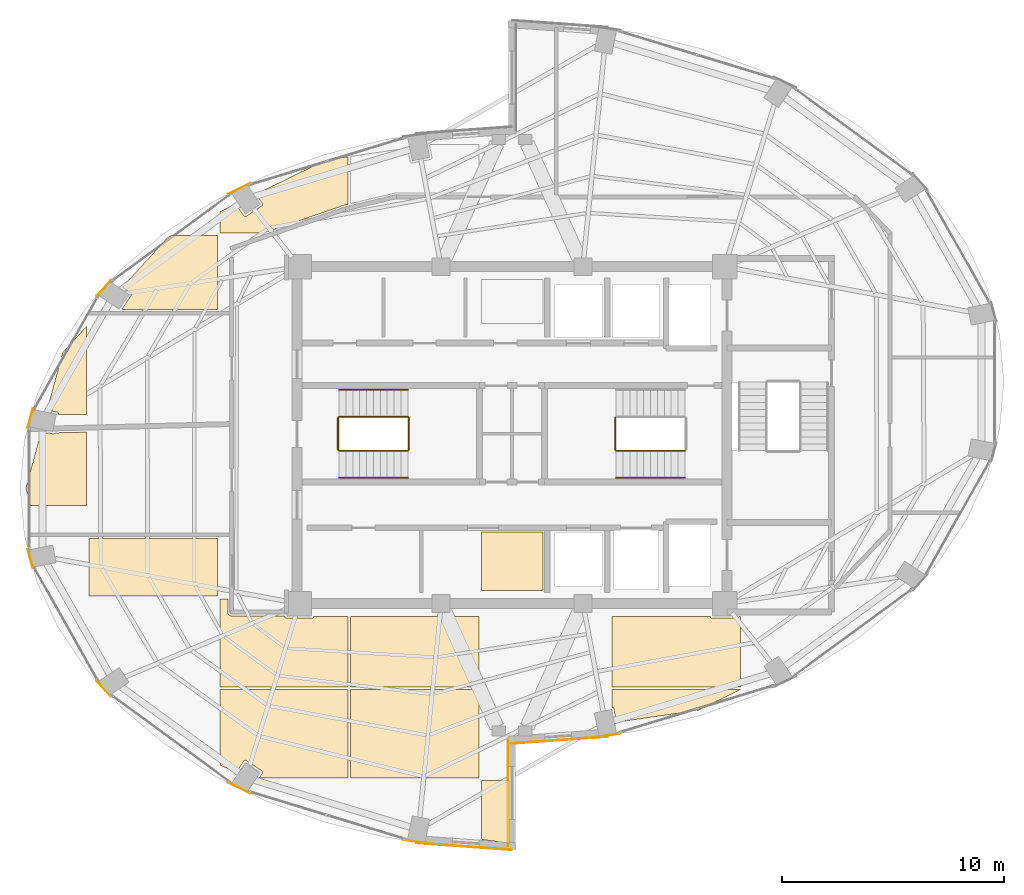
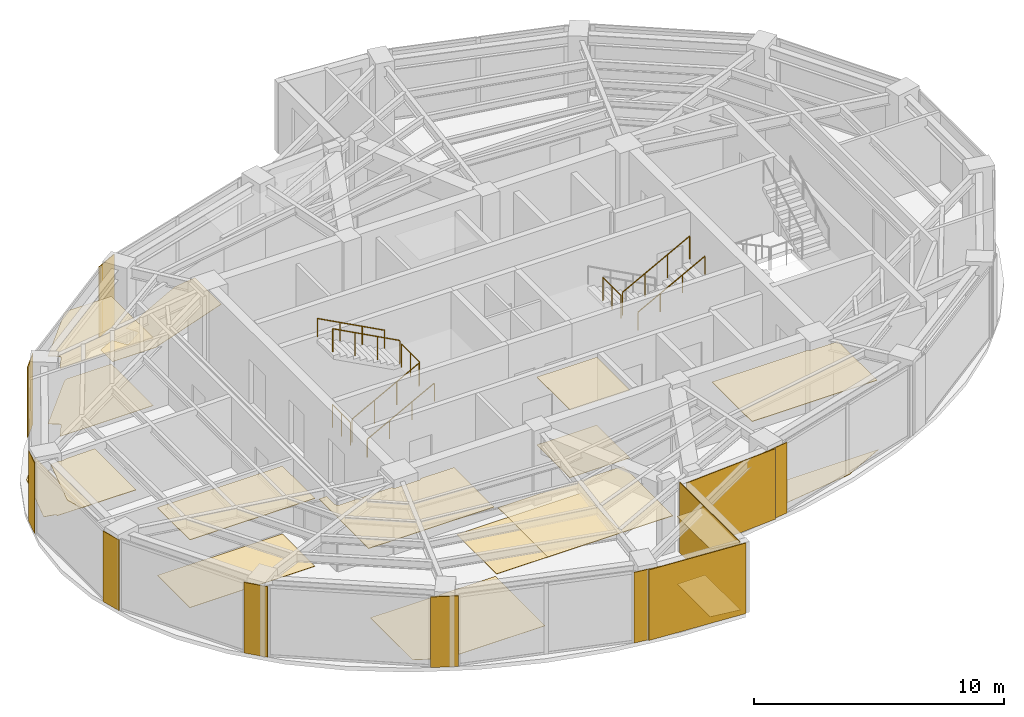
# One storey, part 22 of 23: 28 coverings, 9 railings.
"""IFC4 building model written with IfcOpenShell, lengths in metres."""

from ifc_helpers import new_model, si_unit, direction, frame, origin, origin_2d, place, context, subcontext, project, spatial, polyline, rectangle, circle, outline, extrude, material, layer, layer_set, type_object, element, save


model = new_model("IFC4")

# Units and contexts
model_context = context("Model", 3, precision=1e-05, world=origin(), true_north=direction((0.0, 1.0)))
body_context = subcontext(model_context, "Body", "Model", "MODEL_VIEW")
ifc_project = project(units=[si_unit("LENGTHUNIT", "METRE"), si_unit("AREAUNIT", "SQUARE_METRE"), si_unit("VOLUMEUNIT", "CUBIC_METRE"), si_unit("PLANEANGLEUNIT", "RADIAN"), si_unit("MASSUNIT", "GRAM", prefix="KILO")], contexts=[model_context])

# Site, building, storey
site_placement = place(None, origin())
site = spatial("IfcSite", under=ifc_project, at=site_placement, CompositionType="ELEMENT")
building_placement = place(site_placement, origin())
building = spatial("IfcBuilding", under=site, at=building_placement, Name="Lazwardi Medical Tower", CompositionType="ELEMENT")
storey_placement = place(building_placement, frame((0.0, 0.0, 231.31201171875)))
storey = spatial("IfcBuildingStorey", under=building, at=storey_placement, Name="L60", CompositionType="ELEMENT", Elevation=231.31201171875)

# Coverings
ifc_material_1 = material(Name="Anodised bronze aluminium cassette cladding", Category="aluminium")
ifc_layer_1 = layer(ifc_material_1, 0.030029296875)
ifc_layer_set_1 = layer_set([ifc_layer_1], Name="Anodised bronze aluminium cassette cladding")
covering_type_1 = type_object("IfcCoveringType", Name="COV-CLD-BRZ", PredefinedType="CLADDING", material=ifc_layer_set_1)
covering_1_placement = place(storey_placement, frame((40.3232421875, 14.450439453125, 0.0), z_axis=(0.0, 0.0, 1.0), x_axis=(0.989512431533, 0.144447733943, 0.0)))
element("IfcCovering", 1, at=covering_1_placement, inside=storey, type_object=covering_type_1, Name="L60 Mega-column bronze cassette cover M01", PredefinedType="CLADDING", context=body_context, shape_type="SweptSolid", body=[
    extrude(rectangle(XDim=1.188720703125, YDim=0.030029296875, at=origin_2d()), origin(), (0.0, 0.0, 1.0), 3.447998046875),
])
covering_2_placement = place(storey_placement, frame((23.688720703125, 39.121337890625, 0.0), z_axis=(0.0, 0.0, 1.0), x_axis=(-0.897840141691, -0.440321564278, 0.0)))
element("IfcCovering", 2, at=covering_2_placement, inside=storey, type_object=covering_type_1, Name="L60 Mega-column bronze cassette cover M10", PredefinedType="CLADDING", context=body_context, shape_type="SweptSolid", body=[
    extrude(rectangle(XDim=1.110595703125, YDim=0.030029296875, at=origin_2d()), origin(), (0.0, 0.0, 1.0), 3.447998046875),
])
covering_3_placement = place(storey_placement, frame((17.57470703125, 34.634765625, 0.0), z_axis=(0.0, 0.0, 1.0), x_axis=(-0.673240970654, -0.739423150458, 0.0)))
element("IfcCovering", 3, at=covering_3_placement, inside=storey, type_object=covering_type_1, Name="L60 Mega-column bronze cassette cover M11", PredefinedType="CLADDING", context=body_context, shape_type="SweptSolid", body=[
    extrude(rectangle(XDim=0.98974609375, YDim=0.030029296875, at=origin_2d()), origin(), (0.0, 0.0, 1.0), 3.447998046875),
])
for number, where, z_axis, x_axis, name in (
    (4, (14.265869140625, 28.772705078125, 0.0), (0.0, 0.0, 1.0), (-0.261641748247, -0.96516506131, 0.0), "L60 Mega-column bronze cassette cover M12"),
    (5, (14.265869140625, 22.427490234375, 0.0), (0.0, 0.0, 1.0), (0.261641748247, -0.96516506131, 0.0), "L60 Mega-column bronze cassette cover M13"),
):
    element("IfcCovering", number, at=place(storey_placement, frame(where, z_axis=z_axis, x_axis=x_axis)), inside=storey, type_object=covering_type_1, Name=name, PredefinedType="CLADDING", context=body_context, shape_type="SweptSolid", body=[
        extrude(rectangle(XDim=0.894287109375, YDim=0.030029296875, at=origin_2d()), origin(), (0.0, 0.0, 1.0), 3.447998046875),
    ])
covering_4_placement = place(storey_placement, frame((17.57470703125, 16.565185546875, 0.0), z_axis=(0.0, 0.0, 1.0), x_axis=(0.673240970654, -0.739423150458, 0.0)))
element("IfcCovering", 6, at=covering_4_placement, inside=storey, type_object=covering_type_1, Name="L60 Mega-column bronze cassette cover M14", PredefinedType="CLADDING", context=body_context, shape_type="SweptSolid", body=[
    extrude(rectangle(XDim=0.98974609375, YDim=0.030029296875, at=origin_2d()), origin(), (0.0, 0.0, 1.0), 3.447998046875),
])
covering_5_placement = place(storey_placement, frame((23.688720703125, 12.07861328125, 0.0), z_axis=(0.0, 0.0, 1.0), x_axis=(0.897840141691, -0.440321564278, 0.0)))
element("IfcCovering", 7, at=covering_5_placement, inside=storey, type_object=covering_type_1, Name="L60 Mega-column bronze cassette cover M15", PredefinedType="CLADDING", context=body_context, shape_type="SweptSolid", body=[
    extrude(rectangle(XDim=1.110595703125, YDim=0.030029296875, at=origin_2d()), origin(), (0.0, 0.0, 1.0), 3.447998046875),
])
covering_6_placement = place(storey_placement, frame((31.6767578125, 9.650390625, 0.0), z_axis=(0.0, 0.0, 1.0), x_axis=(0.989512431533, -0.144447733943, 0.0)))
element("IfcCovering", 8, at=covering_6_placement, inside=storey, type_object=covering_type_1, Name="L60 Mega-column bronze cassette cover M16", PredefinedType="CLADDING", context=body_context, shape_type="SweptSolid", body=[
    extrude(rectangle(XDim=1.188720703125, YDim=0.030029296875, at=origin_2d()), origin(), (0.0, 0.0, 1.0), 3.447998046875),
])
ifc_material_2 = material(Name="Turquoise glazed ceramic tilework cladding", Category="masonry")
ifc_layer_2 = layer(ifc_material_2, 0.034912109375)
ifc_layer_set_2 = layer_set([ifc_layer_2], Name="Turquoise glazed ceramic tilework cladding")
covering_type_2 = type_object("IfcCoveringType", Name="COV-CLD-TRQ", PredefinedType="CLADDING", material=ifc_layer_set_2)
covering_7_placement = place(storey_placement, frame((38.16259765625, 14.239990234375, 0.0), z_axis=(0.0, 0.0, 1.0), x_axis=(0.997409491337, 0.071932653157, 0.0)))
element("IfcCovering", 9, at=covering_7_placement, inside=storey, type_object=covering_type_2, Name="L60 Turquoise glazed ceramic tilework cladding", PredefinedType="CLADDING", context=body_context, shape_type="SweptSolid", body=[
    extrude(rectangle(XDim=4.31103515625, YDim=0.034912109375, at=origin_2d()), origin(), (0.0, 0.0, 1.0), 3.447998046875),
])
covering_8_placement = place(storey_placement, frame((33.83740234375, 9.43994140625, 0.0), z_axis=(0.0, 0.0, 1.0), x_axis=(0.997408989128, -0.071939616387, 0.0)))
element("IfcCovering", 10, at=covering_8_placement, inside=storey, type_object=covering_type_2, Name="L60 Turquoise glazed ceramic tilework cladding", PredefinedType="CLADDING", context=body_context, shape_type="SweptSolid", body=[
    extrude(rectangle(XDim=4.310546875, YDim=0.034912109375, at=origin_2d()), origin(), (0.0, 0.0, 1.0), 3.447998046875),
])
covering_9_placement = place(storey_placement, frame((35.824462890625, 11.860107421875, 0.0), z_axis=(0.0, 0.0, 1.0), x_axis=(0.0, 1.0, 0.0)))
element("IfcCovering", 11, at=covering_9_placement, inside=storey, type_object=covering_type_2, Name="L60 Turquoise glazed ceramic tilework iwan panel", PredefinedType="CLADDING", context=body_context, shape_type="SweptSolid", body=[
    extrude(rectangle(XDim=4.800048828125, YDim=0.034912109375, at=origin_2d()), origin(), (0.0, 0.0, 1.0), 3.447998046875),
])
ifc_material_3 = material(Name="Acoustic mineral fibre tile")
ifc_layer_3 = layer(ifc_material_3, 0.02490234375)
ifc_layer_set_3 = layer_set([ifc_layer_3], Name="Acoustic mineral fibre tile")
covering_type_3 = type_object("IfcCoveringType", Name="COV-CLG-01", PredefinedType="CEILING", material=ifc_layer_set_3)
covering_10_placement = place(storey_placement, frame((0.0, 0.0, 3.302978515625)))
element("IfcCovering", 12, at=covering_10_placement, inside=storey, type_object=covering_type_3, Name="L60 Clinical Acoustic Ceiling 1", PredefinedType="CEILING", context=body_context, shape_type="SweptSolid", body=[
    extrude(outline(polyline([(16.802978515625, 28.13916015625), (15.36328125, 28.103515625), (15.36279296875, 28.10205078125), (15.358642578125, 28.095458984375), (15.35400390625, 28.089111328125), (15.3486328125, 28.083251953125), (15.343017578125, 28.077880859375), (15.336669921875, 28.0732421875), (15.329833984375, 28.0693359375), (15.32275390625, 28.06591796875), (15.315185546875, 28.063232421875), (15.3076171875, 28.061279296875), (15.300048828125, 28.060302734375), (15.2919921875, 28.059814453125), (15.2841796875, 28.060302734375), (15.276611328125, 28.061279296875), (15.0966796875, 28.09716796875), (14.739013671875, 28.08837890625), (14.06298828125, 25.60009765625), (14.271484375, 24.83251953125), (16.802978515625, 24.83251953125), (16.802978515625, 28.13916015625)])), origin(), (0.0, 0.0, 1.0), 0.02490234375),
])
covering_11_placement = place(storey_placement, frame((0.0, 0.0, 3.302978515625)))
element("IfcCovering", 13, at=covering_11_placement, inside=storey, type_object=covering_type_3, Name="L60 Clinical Acoustic Ceiling 2", PredefinedType="CEILING", context=body_context, shape_type="SweptSolid", body=[
    extrude(outline(polyline([(22.702880859375, 23.3349609375), (16.9228515625, 23.3349609375), (16.9228515625, 20.732421875), (22.702880859375, 20.732421875), (22.702880859375, 23.3349609375)])), origin(), (0.0, 0.0, 1.0), 0.02490234375),
])
covering_12_placement = place(storey_placement, frame((0.0, 0.0, 3.302978515625)))
element("IfcCovering", 14, at=covering_12_placement, inside=storey, type_object=covering_type_3, Name="L60 Clinical Acoustic Ceiling 3", PredefinedType="CEILING", context=body_context, shape_type="SweptSolid", body=[
    extrude(outline(polyline([(20.639892578125, 37.012451171875), (20.478271484375, 36.933349609375), (18.415283203125, 34.673095703125), (18.7919921875, 34.42138671875), (18.79833984375, 34.416748046875), (18.80419921875, 34.41162109375), (18.809326171875, 34.40576171875), (18.814208984375, 34.3994140625), (18.818115234375, 34.392578125), (18.821533203125, 34.385498046875), (18.82421875, 34.378173828125), (18.826171875, 34.37060546875), (18.8271484375, 34.36279296875), (18.82763671875, 34.35498046875), (18.8271484375, 34.34716796875), (18.826171875, 34.33935546875), (18.82421875, 34.331787109375), (18.821533203125, 34.324462890625), (18.818115234375, 34.3173828125), (18.814208984375, 34.310546875), (18.3828125, 33.6650390625), (22.702880859375, 33.6650390625), (22.702880859375, 37.012451171875), (20.639892578125, 37.012451171875)])), origin(), (0.0, 0.0, 1.0), 0.02490234375),
])
covering_13_placement = place(storey_placement, frame((0.0, 0.0, 3.302978515625)))
element("IfcCovering", 15, at=covering_13_placement, inside=storey, type_object=covering_type_3, Name="L60 Clinical Acoustic Ceiling 4", PredefinedType="CEILING", context=body_context, shape_type="SweptSolid", body=[
    extrude(outline(polyline([(28.602783203125, 19.820068359375), (27.04931640625, 19.820068359375), (27.048583984375, 19.814453125), (27.046630859375, 19.806884765625), (27.0439453125, 19.79931640625), (27.04052734375, 19.792236328125), (27.03662109375, 19.78564453125), (27.03173828125, 19.779296875), (27.026611328125, 19.7734375), (27.020751953125, 19.768310546875), (27.014404296875, 19.763427734375), (27.0078125, 19.759521484375), (27.00048828125, 19.756103515625), (26.9931640625, 19.75341796875), (26.985595703125, 19.75146484375), (26.977783203125, 19.75048828125), (26.969970703125, 19.75), (25.830078125, 19.75), (25.822265625, 19.75048828125), (25.814453125, 19.75146484375), (25.806884765625, 19.75341796875), (25.79931640625, 19.756103515625), (25.792236328125, 19.759521484375), (25.78564453125, 19.763427734375), (25.779296875, 19.768310546875), (25.7734375, 19.7734375), (25.768310546875, 19.779296875), (25.763427734375, 19.78564453125), (25.759521484375, 19.792236328125), (25.756103515625, 19.79931640625), (25.75341796875, 19.806884765625), (25.75146484375, 19.814453125), (25.75048828125, 19.822265625), (25.75, 19.830078125), (25.75, 19.844970703125), (23.35009765625, 19.844970703125), (23.345703125, 19.84521484375), (23.33642578125, 19.845703125), (23.32958984375, 19.84619140625), (23.3203125, 19.84765625), (23.31201171875, 19.84912109375), (23.302734375, 19.8515625), (23.2958984375, 19.853515625), (23.287109375, 19.856689453125), (23.279296875, 19.860107421875), (23.270751953125, 19.864013671875), (23.263916015625, 19.86767578125), (23.256103515625, 19.872314453125), (23.249267578125, 19.876953125), (23.24169921875, 19.882568359375), (23.236083984375, 19.88720703125), (23.229248046875, 19.893310546875), (23.223388671875, 19.8994140625), (23.217041015625, 19.90625), (23.21240234375, 19.911865234375), (23.206787109375, 19.919189453125), (23.202392578125, 19.926025390625), (23.197509765625, 19.93408203125), (23.194091796875, 19.94091796875), (23.18994140625, 19.94921875), (23.186767578125, 19.95703125), (23.18359375, 19.9658203125), (23.181396484375, 19.972900390625), (23.17919921875, 19.98193359375), (23.177490234375, 19.990234375), (23.17626953125, 19.99951171875), (23.175537109375, 20.00634765625), (23.175048828125, 20.015625), (23.175048828125, 20.02001953125), (23.175048828125, 20.612548828125), (22.822998046875, 20.612548828125), (22.822998046875, 16.632568359375), (28.602783203125, 16.632568359375), (28.602783203125, 19.820068359375)])), origin(), (0.0, 0.0, 1.0), 0.02490234375),
])
covering_14_placement = place(storey_placement, frame((0.0, 0.0, 3.302978515625)))
element("IfcCovering", 16, at=covering_14_placement, inside=storey, type_object=covering_type_3, Name="L60 Clinical Acoustic Ceiling 5", PredefinedType="CEILING", context=body_context, shape_type="SweptSolid", body=[
    extrude(outline(polyline([(34.5029296875, 12.532470703125), (34.5029296875, 16.512451171875), (28.722900390625, 16.512451171875), (28.722900390625, 12.532470703125), (34.5029296875, 12.532470703125)])), origin(), (0.0, 0.0, 1.0), 0.02490234375),
])
covering_15_placement = place(storey_placement, frame((0.0, 0.0, 3.302978515625)))
element("IfcCovering", 17, at=covering_15_placement, inside=storey, type_object=covering_type_3, Name="L60 Clinical Acoustic Ceiling 7", PredefinedType="CEILING", context=body_context, shape_type="SweptSolid", body=[
    extrude(outline(polyline([(34.622802734375, 9.761474609375), (35.919921875, 9.572509765625), (35.919921875, 12.41259765625), (34.622802734375, 12.41259765625), (34.622802734375, 9.761474609375)])), origin(), (0.0, 0.0, 1.0), 0.02490234375),
])
covering_16_placement = place(storey_placement, frame((0.0, 0.0, 3.302978515625)))
element("IfcCovering", 18, at=covering_16_placement, inside=storey, type_object=covering_type_3, Name="L60 Clinical Acoustic Ceiling 8", PredefinedType="CEILING", context=body_context, shape_type="SweptSolid", body=[
    extrude(outline(polyline([(34.622802734375, 20.97998046875), (37.389892578125, 20.97998046875), (37.389892578125, 23.6201171875), (34.622802734375, 23.6201171875), (34.622802734375, 20.97998046875)])), origin(), (0.0, 0.0, 1.0), 0.02490234375),
])
covering_17_placement = place(storey_placement, frame((0.0, 0.0, 3.302978515625)))
element("IfcCovering", 19, at=covering_17_placement, inside=storey, type_object=covering_type_3, Name="L60 Clinical Acoustic Ceiling 10", PredefinedType="CEILING", context=body_context, shape_type="SweptSolid", body=[
    extrude(outline(polyline([(46.302978515625, 19.820068359375), (46.249267578125, 19.820068359375), (46.24853515625, 19.814453125), (46.24658203125, 19.806884765625), (46.243896484375, 19.79931640625), (46.240478515625, 19.792236328125), (46.236572265625, 19.78564453125), (46.231689453125, 19.779296875), (46.2265625, 19.7734375), (46.220703125, 19.768310546875), (46.21435546875, 19.763427734375), (46.207763671875, 19.759521484375), (46.20068359375, 19.756103515625), (46.193115234375, 19.75341796875), (46.185546875, 19.75146484375), (46.177734375, 19.75048828125), (46.169921875, 19.75), (45.030029296875, 19.75), (45.022216796875, 19.75048828125), (45.014404296875, 19.75146484375), (45.0068359375, 19.75341796875), (44.99951171875, 19.756103515625), (44.9921875, 19.759521484375), (44.985595703125, 19.763427734375), (44.979248046875, 19.768310546875), (44.973388671875, 19.7734375), (44.96826171875, 19.779296875), (44.96337890625, 19.78564453125), (44.95947265625, 19.792236328125), (44.9560546875, 19.79931640625), (44.953369140625, 19.806884765625), (44.951416015625, 19.814453125), (44.95068359375, 19.820068359375), (40.52294921875, 19.820068359375), (40.52294921875, 16.632568359375), (46.302978515625, 16.632568359375), (46.302978515625, 19.820068359375)])), origin(), (0.0, 0.0, 1.0), 0.02490234375),
])
ifc_material_4 = material(Name="Anti-static hospital vinyl sheet flooring")
ifc_layer_4 = layer(ifc_material_4, 0.014892578125)
ifc_layer_set_4 = layer_set([ifc_layer_4], Name="Anti-static hospital vinyl sheet flooring")
covering_type_4 = type_object("IfcCoveringType", Name="COV-FLR-01", PredefinedType="FLOORING", material=ifc_layer_set_4)
covering_18_placement = place(storey_placement, origin())
element("IfcCovering", 20, at=covering_18_placement, inside=storey, type_object=covering_type_4, Name="L60 Clinical Vinyl Flooring 1", PredefinedType="FLOORING", context=body_context, shape_type="SweptSolid", body=[
    extrude(outline(polyline([(16.802978515625, 32.906494140625), (15.728271484375, 31.729248046875), (15.0224609375, 29.13134765625), (15.4716796875, 29.0419921875), (15.479248046875, 29.040283203125), (15.486572265625, 29.03759765625), (15.49365234375, 29.0341796875), (15.50048828125, 29.030029296875), (15.5068359375, 29.025390625), (15.5126953125, 29.020263671875), (15.517822265625, 29.014404296875), (15.5224609375, 29.008056640625), (15.526611328125, 29.001220703125), (15.52978515625, 28.994140625), (15.53271484375, 28.98681640625), (15.534423828125, 28.979248046875), (15.53564453125, 28.971435546875), (15.535888671875, 28.963623046875), (15.53564453125, 28.955810546875), (15.534423828125, 28.947998046875), (15.531494140625, 28.9326171875), (16.802978515625, 28.9326171875), (16.802978515625, 32.906494140625)])), origin(), (0.0, 0.0, 1.0), 0.014892578125),
])
covering_19_placement = place(storey_placement, origin())
element("IfcCovering", 21, at=covering_19_placement, inside=storey, type_object=covering_type_4, Name="L60 Clinical Vinyl Flooring 2", PredefinedType="FLOORING", context=body_context, shape_type="SweptSolid", body=[
    extrude(outline(polyline([(22.702880859375, 23.3349609375), (16.9228515625, 23.3349609375), (16.9228515625, 20.732421875), (22.702880859375, 20.732421875), (22.702880859375, 23.3349609375)])), origin(), (0.0, 0.0, 1.0), 0.014892578125),
])
covering_20_placement = place(storey_placement, origin())
element("IfcCovering", 22, at=covering_20_placement, inside=storey, type_object=covering_type_4, Name="L60 Clinical Vinyl Flooring 3", PredefinedType="FLOORING", context=body_context, shape_type="SweptSolid", body=[
    extrude(outline(polyline([(20.639892578125, 37.012451171875), (20.478271484375, 36.933349609375), (18.415283203125, 34.673095703125), (18.7919921875, 34.42138671875), (18.79833984375, 34.416748046875), (18.80419921875, 34.41162109375), (18.809326171875, 34.40576171875), (18.814208984375, 34.3994140625), (18.818115234375, 34.392578125), (18.821533203125, 34.385498046875), (18.82421875, 34.378173828125), (18.826171875, 34.37060546875), (18.8271484375, 34.36279296875), (18.82763671875, 34.35498046875), (18.8271484375, 34.34716796875), (18.826171875, 34.33935546875), (18.82421875, 34.331787109375), (18.821533203125, 34.324462890625), (18.818115234375, 34.3173828125), (18.814208984375, 34.310546875), (18.3828125, 33.6650390625), (22.702880859375, 33.6650390625), (22.702880859375, 37.012451171875), (20.639892578125, 37.012451171875)])), origin(), (0.0, 0.0, 1.0), 0.014892578125),
])
covering_21_placement = place(storey_placement, origin())
element("IfcCovering", 23, at=covering_21_placement, inside=storey, type_object=covering_type_4, Name="L60 Clinical Vinyl Flooring 4", PredefinedType="FLOORING", context=body_context, shape_type="SweptSolid", body=[
    extrude(outline(polyline([(22.822998046875, 13.119873046875), (23.545654296875, 12.766357421875), (23.900634765625, 13.297607421875), (23.905517578125, 13.303955078125), (23.91064453125, 13.309814453125), (23.91650390625, 13.31494140625), (23.9228515625, 13.319580078125), (23.929443359375, 13.32373046875), (23.9365234375, 13.3271484375), (23.944091796875, 13.329833984375), (23.95166015625, 13.331787109375), (23.95947265625, 13.332763671875), (23.96728515625, 13.333251953125), (23.97509765625, 13.332763671875), (23.98291015625, 13.331787109375), (23.990478515625, 13.329833984375), (23.997802734375, 13.3271484375), (24.0048828125, 13.32373046875), (24.01171875, 13.319580078125), (24.7099609375, 12.85302734375), (24.71630859375, 12.848388671875), (24.72216796875, 12.843017578125), (24.727294921875, 12.83740234375), (24.732177734375, 12.830810546875), (24.736083984375, 12.82421875), (24.739501953125, 12.817138671875), (24.7421875, 12.809814453125), (24.744140625, 12.802001953125), (24.7451171875, 12.794189453125), (24.74560546875, 12.78662109375), (24.7451171875, 12.77880859375), (24.744140625, 12.77099609375), (24.7421875, 12.76318359375), (24.739501953125, 12.755859375), (24.736083984375, 12.748779296875), (24.732177734375, 12.7421875), (24.592041015625, 12.532470703125), (28.602783203125, 12.532470703125), (28.602783203125, 16.512451171875), (22.822998046875, 16.512451171875), (22.822998046875, 13.119873046875)])), origin(), (0.0, 0.0, 1.0), 0.014892578125),
])
covering_22_placement = place(storey_placement, origin())
element("IfcCovering", 24, at=covering_22_placement, inside=storey, type_object=covering_type_4, Name="L60 Clinical Vinyl Flooring 5", PredefinedType="FLOORING", context=body_context, shape_type="SweptSolid", body=[
    extrude(outline(polyline([(28.602783203125, 40.56201171875), (27.59716796875, 40.41552734375), (24.4521484375, 38.877197265625), (24.732177734375, 38.4580078125), (24.736083984375, 38.451171875), (24.739501953125, 38.444091796875), (24.7421875, 38.436767578125), (24.744140625, 38.42919921875), (24.7451171875, 38.42138671875), (24.74560546875, 38.41357421875), (24.7451171875, 38.40576171875), (24.744140625, 38.39794921875), (24.7421875, 38.390380859375), (24.739501953125, 38.3828125), (24.736083984375, 38.375732421875), (24.732177734375, 38.369140625), (24.727294921875, 38.36279296875), (24.72216796875, 38.35693359375), (24.71630859375, 38.351806640625), (24.7099609375, 38.346923828125), (24.01171875, 37.88037109375), (24.0048828125, 37.876220703125), (23.997802734375, 37.872802734375), (23.990478515625, 37.8701171875), (23.98291015625, 37.868408203125), (23.97509765625, 37.8671875), (23.96728515625, 37.86669921875), (23.95947265625, 37.8671875), (23.95166015625, 37.868408203125), (23.944091796875, 37.8701171875), (23.9365234375, 37.872802734375), (23.929443359375, 37.876220703125), (23.9228515625, 37.88037109375), (23.91650390625, 37.885009765625), (23.91064453125, 37.89013671875), (23.905517578125, 37.89599609375), (23.900634765625, 37.90234375), (23.545654296875, 38.43359375), (22.822998046875, 38.080078125), (22.822998046875, 37.132568359375), (24.819091796875, 37.132568359375), (28.457763671875, 38.385498046875), (28.461669921875, 38.386962890625), (28.470703125, 38.389404296875), (28.474365234375, 38.390380859375), (28.602783203125, 38.4208984375), (28.602783203125, 40.56201171875)])), origin(), (0.0, 0.0, 1.0), 0.014892578125),
])
covering_23_placement = place(storey_placement, origin())
element("IfcCovering", 25, at=covering_23_placement, inside=storey, type_object=covering_type_4, Name="L60 Clinical Vinyl Flooring 6", PredefinedType="FLOORING", context=body_context, shape_type="SweptSolid", body=[
    extrude(outline(polyline([(34.5029296875, 19.820068359375), (28.722900390625, 19.820068359375), (28.722900390625, 16.632568359375), (34.5029296875, 16.632568359375), (34.5029296875, 19.820068359375)])), origin(), (0.0, 0.0, 1.0), 0.014892578125),
])
covering_24_placement = place(storey_placement, origin())
element("IfcCovering", 26, at=covering_24_placement, inside=storey, type_object=covering_type_4, Name="L60 Clinical Vinyl Flooring 7", PredefinedType="FLOORING", context=body_context, shape_type="SweptSolid", body=[
    extrude(outline(polyline([(34.622802734375, 9.761474609375), (35.919921875, 9.572509765625), (35.919921875, 12.41259765625), (34.622802734375, 12.41259765625), (34.622802734375, 9.761474609375)])), origin(), (0.0, 0.0, 1.0), 0.014892578125),
])
covering_25_placement = place(storey_placement, origin())
element("IfcCovering", 27, at=covering_25_placement, inside=storey, type_object=covering_type_4, Name="L60 Clinical Vinyl Flooring 8", PredefinedType="FLOORING", context=body_context, shape_type="SweptSolid", body=[
    extrude(outline(polyline([(34.622802734375, 20.97998046875), (37.389892578125, 20.97998046875), (37.389892578125, 23.6201171875), (34.622802734375, 23.6201171875), (34.622802734375, 20.97998046875)])), origin(), (0.0, 0.0, 1.0), 0.014892578125),
])
covering_26_placement = place(storey_placement, origin())
element("IfcCovering", 28, at=covering_26_placement, inside=storey, type_object=covering_type_4, Name="L60 Clinical Vinyl Flooring 10", PredefinedType="FLOORING", context=body_context, shape_type="SweptSolid", body=[
    extrude(outline(polyline([(40.52294921875, 15.722412109375), (40.5302734375, 15.72119140625), (40.537841796875, 15.71923828125), (40.54541015625, 15.716552734375), (40.552490234375, 15.71337890625), (40.55908203125, 15.709228515625), (40.5654296875, 15.70458984375), (40.5712890625, 15.69921875), (40.576416015625, 15.693603515625), (40.581298828125, 15.687255859375), (40.585205078125, 15.680419921875), (40.588623046875, 15.67333984375), (40.59130859375, 15.666015625), (40.59326171875, 15.658203125), (40.714599609375, 15.04736328125), (44.40283203125, 15.58447265625), (46.300048828125, 16.512451171875), (40.52294921875, 16.512451171875), (40.52294921875, 15.722412109375)])), origin(), (0.0, 0.0, 1.0), 0.014892578125),
])

# Railings
ifc_material_5 = material(Name="Stainless steel Grade 316", Category="steel")
railing_type_1 = type_object("IfcRailingType", Name="RLG-GRD-1150", PredefinedType="GUARDRAIL", material=ifc_material_5)
railing_1_placement = place(storey_placement, frame((28.199951171875, 27.2900390625, 0.165771484375)))
element("IfcRailing", 29, at=railing_1_placement, inside=storey, type_object=railing_type_1, Name="L60 ST1 stair guard 1", PredefinedType="GUARDRAIL", context=body_context, shape_type="SweptSolid", body=[
    extrude(circle(Radius=0.02392578125, at=origin_2d()), frame((0.0, 0.0, 1.1259765625), z_axis=(0.881783298633, 0.0, 0.471654761719), x_axis=(0.0, 1.0, 0.0)), (0.0, 0.0, 1.0), 3.515625),
    extrude(circle(Radius=0.02099609375, at=origin_2d()), origin(), (0.0, 0.0, 1.0), 1.099853515625),
    extrude(circle(Radius=0.02099609375, at=origin_2d()), frame((1.033447265625, 0.0, 0.552734375)), (0.0, 0.0, 1.0), 1.099853515625),
    extrude(circle(Radius=0.02099609375, at=origin_2d()), frame((2.066650390625, 0.0, 1.10546875)), (0.0, 0.0, 1.0), 1.099853515625),
    extrude(circle(Radius=0.02099609375, at=origin_2d()), frame((3.10009765625, 0.0, 1.658203125)), (0.0, 0.0, 1.0), 1.099853515625),
])
railing_2_placement = place(storey_placement, frame((31.35009765625, 27.340087890625, 1.823974609375)))
element("IfcRailing", 30, at=railing_2_placement, inside=storey, type_object=railing_type_1, Name="L60 ST1 stair guard 2", PredefinedType="GUARDRAIL", context=body_context, shape_type="SweptSolid", body=[
    extrude(circle(Radius=0.02392578125, at=origin_2d()), frame((0.0, 0.0, 1.1259765625), z_axis=(0.0, 1.0, 0.0), x_axis=(-1.0, 0.0, 0.0)), (0.0, 0.0, 1.0), 1.43994140625),
    extrude(circle(Radius=0.02099609375, at=origin_2d()), origin(), (0.0, 0.0, 1.0), 1.099853515625),
    extrude(circle(Radius=0.02099609375, at=origin_2d()), frame((0.0, 0.719970703125, 0.0)), (0.0, 0.0, 1.0), 1.099853515625),
    extrude(circle(Radius=0.02099609375, at=origin_2d()), frame((0.0, 1.43994140625, 0.0)), (0.0, 0.0, 1.0), 1.099853515625),
])
railing_3_placement = place(storey_placement, frame((31.300048828125, 28.830078125, 1.98974609375)))
element("IfcRailing", 31, at=railing_3_placement, inside=storey, type_object=railing_type_1, Name="L60 ST1 stair guard 3", PredefinedType="GUARDRAIL", context=body_context, shape_type="SweptSolid", body=[
    extrude(circle(Radius=0.02392578125, at=origin_2d()), frame((0.0, 0.0, 1.1259765625), z_axis=(-0.881783298633, 0.0, 0.471654761719), x_axis=(0.0, -1.0, 0.0)), (0.0, 0.0, 1.0), 3.515625),
    extrude(circle(Radius=0.02099609375, at=origin_2d()), origin(), (0.0, 0.0, 1.0), 1.099853515625),
    extrude(circle(Radius=0.02099609375, at=origin_2d()), frame((-1.033447265625, 0.0, 0.552734375)), (0.0, 0.0, 1.0), 1.099853515625),
    extrude(circle(Radius=0.02099609375, at=origin_2d()), frame((-2.066650390625, 0.0, 1.10546875)), (0.0, 0.0, 1.0), 1.099853515625),
    extrude(circle(Radius=0.02099609375, at=origin_2d()), frame((-3.10009765625, 0.0, 1.658203125)), (0.0, 0.0, 1.0), 1.099853515625),
])
railing_4_placement = place(storey_placement, frame((28.14990234375, 27.340087890625, 0.0)))
element("IfcRailing", 32, at=railing_4_placement, inside=storey, type_object=railing_type_1, Name="L60 ST1 stair guard 4", PredefinedType="GUARDRAIL", context=body_context, shape_type="SweptSolid", body=[
    extrude(circle(Radius=0.02392578125, at=origin_2d()), frame((0.0, 0.0, 1.1259765625), z_axis=(0.0, 1.0, 0.0), x_axis=(-1.0, 0.0, 0.0)), (0.0, 0.0, 1.0), 1.43994140625),
    extrude(circle(Radius=0.02099609375, at=origin_2d()), origin(), (0.0, 0.0, 1.0), 1.099853515625),
    extrude(circle(Radius=0.02099609375, at=origin_2d()), frame((0.0, 0.719970703125, 0.0)), (0.0, 0.0, 1.0), 1.099853515625),
    extrude(circle(Radius=0.02099609375, at=origin_2d()), frame((0.0, 1.43994140625, 0.0)), (0.0, 0.0, 1.0), 1.099853515625),
])
railing_5_placement = place(storey_placement, frame((40.64990234375, 28.780029296875, 1.823974609375)))
element("IfcRailing", 33, at=railing_5_placement, inside=storey, type_object=railing_type_1, Name="L60 ST2 stair guard 2", PredefinedType="GUARDRAIL", context=body_context, shape_type="SweptSolid", body=[
    extrude(circle(Radius=0.02392578125, at=origin_2d()), frame((0.0, 0.0, 1.1259765625), z_axis=(0.0, -1.0, 0.0), x_axis=(1.0, 0.0, 0.0)), (0.0, 0.0, 1.0), 1.43994140625),
    extrude(circle(Radius=0.02099609375, at=origin_2d()), origin(), (0.0, 0.0, 1.0), 1.099853515625),
    extrude(circle(Radius=0.02099609375, at=origin_2d()), frame((0.0, -0.719970703125, 0.0)), (0.0, 0.0, 1.0), 1.099853515625),
    extrude(circle(Radius=0.02099609375, at=origin_2d()), frame((0.0, -1.43994140625, 0.0)), (0.0, 0.0, 1.0), 1.099853515625),
])
railing_6_placement = place(storey_placement, frame((40.699951171875, 27.2900390625, 1.98974609375)))
element("IfcRailing", 34, at=railing_6_placement, inside=storey, type_object=railing_type_1, Name="L60 ST2 stair guard 3", PredefinedType="GUARDRAIL", context=body_context, shape_type="SweptSolid", body=[
    extrude(circle(Radius=0.02392578125, at=origin_2d()), frame((0.0, 0.0, 1.1259765625), z_axis=(0.881783298633, 0.0, 0.471654761719), x_axis=(0.0, 1.0, 0.0)), (0.0, 0.0, 1.0), 3.515625),
    extrude(circle(Radius=0.02099609375, at=origin_2d()), origin(), (0.0, 0.0, 1.0), 1.099853515625),
    extrude(circle(Radius=0.02099609375, at=origin_2d()), frame((1.033447265625, 0.0, 0.552734375)), (0.0, 0.0, 1.0), 1.099853515625),
    extrude(circle(Radius=0.02099609375, at=origin_2d()), frame((2.066650390625, 0.0, 1.10546875)), (0.0, 0.0, 1.0), 1.099853515625),
    extrude(circle(Radius=0.02099609375, at=origin_2d()), frame((3.10009765625, 0.0, 1.658203125)), (0.0, 0.0, 1.0), 1.099853515625),
])
railing_type_2 = type_object("IfcRailingType", Name="RLG-HND-920", PredefinedType="HANDRAIL", material=ifc_material_5)
railing_7_placement = place(storey_placement, frame((28.199951171875, 26.070068359375, 0.165771484375)))
element("IfcRailing", 35, at=railing_7_placement, inside=storey, type_object=railing_type_2, Name="L60 ST1 stair handrail 1", PredefinedType="HANDRAIL", context=body_context, shape_type="SweptSolid", body=[
    extrude(circle(Radius=0.02392578125, at=origin_2d()), frame((0.0, 0.0, 0.8857421875), z_axis=(0.881783298633, 0.0, 0.471654761719), x_axis=(0.0, 1.0, 0.0)), (0.0, 0.0, 1.0), 3.515625),
    extrude(circle(Radius=0.02099609375, at=origin_2d()), origin(), (0.0, 0.0, 1.0), 0.85986328125),
    extrude(circle(Radius=0.02099609375, at=origin_2d()), frame((1.033447265625, 0.0, 0.552734375)), (0.0, 0.0, 1.0), 0.85986328125),
    extrude(circle(Radius=0.02099609375, at=origin_2d()), frame((2.066650390625, 0.0, 1.10546875)), (0.0, 0.0, 1.0), 0.85986328125),
    extrude(circle(Radius=0.02099609375, at=origin_2d()), frame((3.10009765625, 0.0, 1.658203125)), (0.0, 0.0, 1.0), 0.85986328125),
])
railing_8_placement = place(storey_placement, frame((31.300048828125, 30.050048828125, 1.98974609375)))
element("IfcRailing", 36, at=railing_8_placement, inside=storey, type_object=railing_type_2, Name="L60 ST1 stair handrail 2", PredefinedType="HANDRAIL", context=body_context, shape_type="SweptSolid", body=[
    extrude(circle(Radius=0.02392578125, at=origin_2d()), frame((0.0, 0.0, 0.8857421875), z_axis=(-0.881783298633, 0.0, 0.471654761719), x_axis=(0.0, -1.0, 0.0)), (0.0, 0.0, 1.0), 3.515625),
    extrude(circle(Radius=0.02099609375, at=origin_2d()), origin(), (0.0, 0.0, 1.0), 0.85986328125),
    extrude(circle(Radius=0.02099609375, at=origin_2d()), frame((-1.033447265625, 0.0, 0.552734375)), (0.0, 0.0, 1.0), 0.85986328125),
    extrude(circle(Radius=0.02099609375, at=origin_2d()), frame((-2.066650390625, 0.0, 1.10546875)), (0.0, 0.0, 1.0), 0.85986328125),
    extrude(circle(Radius=0.02099609375, at=origin_2d()), frame((-3.10009765625, 0.0, 1.658203125)), (0.0, 0.0, 1.0), 0.85986328125),
])
railing_9_placement = place(storey_placement, frame((40.699951171875, 26.070068359375, 1.98974609375)))
element("IfcRailing", 37, at=railing_9_placement, inside=storey, type_object=railing_type_2, Name="L60 ST2 stair handrail 2", PredefinedType="HANDRAIL", context=body_context, shape_type="SweptSolid", body=[
    extrude(circle(Radius=0.02392578125, at=origin_2d()), frame((0.0, 0.0, 0.8857421875), z_axis=(0.881783298633, 0.0, 0.471654761719), x_axis=(0.0, 1.0, 0.0)), (0.0, 0.0, 1.0), 3.515625),
    extrude(circle(Radius=0.02099609375, at=origin_2d()), origin(), (0.0, 0.0, 1.0), 0.85986328125),
    extrude(circle(Radius=0.02099609375, at=origin_2d()), frame((1.033447265625, 0.0, 0.552734375)), (0.0, 0.0, 1.0), 0.85986328125),
    extrude(circle(Radius=0.02099609375, at=origin_2d()), frame((2.066650390625, 0.0, 1.10546875)), (0.0, 0.0, 1.0), 0.85986328125),
    extrude(circle(Radius=0.02099609375, at=origin_2d()), frame((3.10009765625, 0.0, 1.658203125)), (0.0, 0.0, 1.0), 0.85986328125),
])

save(model, "model.ifc")
